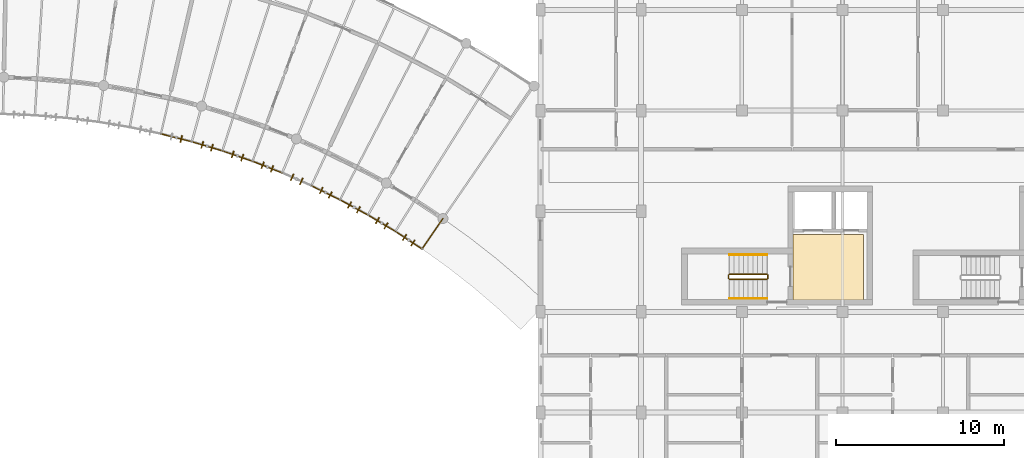
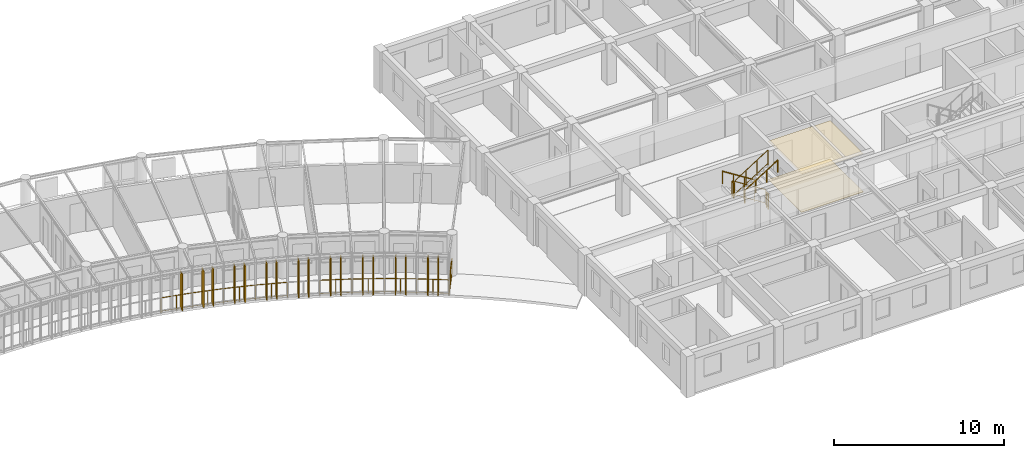
# One storey, part 98 of 100: 17 shading devices, 15 railings, 2 coverings.
"""IFC4 building model written with IfcOpenShell, lengths in metres."""

from ifc_helpers import new_model, si_unit, direction, frame, origin, origin_2d, place, context, subcontext, project, spatial, polyline, rectangle, circle, outline, extrude, material, layer, layer_set, type_object, element, save


model = new_model("IFC4")

# Units and contexts
model_context = context("Model", 3, precision=1e-05, world=origin(), true_north=direction((0.0, 1.0)))
body_context = subcontext(model_context, "Body", "Model", "MODEL_VIEW")
ifc_project = project(units=[si_unit("LENGTHUNIT", "METRE"), si_unit("AREAUNIT", "SQUARE_METRE"), si_unit("VOLUMEUNIT", "CUBIC_METRE"), si_unit("PLANEANGLEUNIT", "RADIAN"), si_unit("MASSUNIT", "GRAM", prefix="KILO"), si_unit("POWERUNIT", "WATT"), si_unit("THERMODYNAMICTEMPERATUREUNIT", "KELVIN")], contexts=[model_context])

# Site, building, storey
site_placement = place(None, origin())
site = spatial("IfcSite", under=ifc_project, at=site_placement, CompositionType="ELEMENT")
building_placement = place(site_placement, origin())
building = spatial("IfcBuilding", under=site, at=building_placement, Name="Ruvembo Vaulted Housing Court", CompositionType="ELEMENT")
storey_placement = place(building_placement, frame((0.0, 0.0, 14.10009765625)))
storey = spatial("IfcBuildingStorey", under=building, at=storey_placement, Name="L04", CompositionType="ELEMENT", Elevation=14.10009765625)

# Coverings
ifc_material_1 = material(Name="Perforated Mineral-Fibre Acoustic Tile", Category="gypsum")
ifc_layer_1 = layer(ifc_material_1, 0.02001953125, Name="Perforated Mineral-Fibre Acoustic Tile")
ifc_layer_set_1 = layer_set([ifc_layer_1], Name="Perforated Mineral-Fibre Acoustic Tile")
covering_type_1 = type_object("IfcCoveringType", Name="COV-CEIL-ACOUST", PredefinedType="CEILING", material=ifc_layer_set_1)
covering_1_placement = place(storey_placement, frame((0.0, 0.0, 2.75)))
element("IfcCovering", 1, at=covering_1_placement, inside=storey, type_object=covering_type_1, Name="Protected Core Lobby D1 Ceiling", PredefinedType="CEILING", context=body_context, shape_type="SweptSolid", body=[
    extrude(outline(polyline([(169.25, 88.60009765625), (165.050048828125, 88.60009765625), (165.050048828125, 84.699951171875), (169.25, 84.699951171875), (169.25, 88.60009765625)])), origin(), (0.0, 0.0, 1.0), 0.02001953125),
])
ifc_material_2 = material(Name="Polished Cement-Aggregate Terrazzo", Category="stone")
ifc_layer_2 = layer(ifc_material_2, 0.02197265625, Name="Polished Cement-Aggregate Terrazzo")
ifc_layer_set_2 = layer_set([ifc_layer_2], Name="Polished Cement-Aggregate Terrazzo")
covering_type_2 = type_object("IfcCoveringType", Name="COV-FLR-CERAMIC", PredefinedType="FLOORING", material=ifc_layer_set_2)
covering_2_placement = place(storey_placement, origin())
element("IfcCovering", 2, at=covering_2_placement, inside=storey, type_object=covering_type_2, Name="Protected Core Lobby D1 Flooring", PredefinedType="FLOORING", context=body_context, shape_type="SweptSolid", body=[
    extrude(outline(polyline([(169.25, 88.60009765625), (165.050048828125, 88.60009765625), (165.050048828125, 84.699951171875), (169.25, 84.699951171875), (169.25, 88.60009765625)])), origin(), (0.0, 0.0, 1.0), 0.02197265625),
])

# Railings
ifc_material_3 = material(Name="Galvanised Painted Steel S275", Category="steel")
ifc_layer_3 = layer(ifc_material_3, 0.06005859375, Name="Galvanised Painted Steel S275")
ifc_layer_set_3 = layer_set([ifc_layer_3], Name="Galvanised Painted Steel S275")
railing_type_1 = type_object("IfcRailingType", Name="RL-GUARD-1100", PredefinedType="GUARDRAIL", material=ifc_layer_set_3)
railing_1_placement = place(storey_placement, frame((127.365966796875, 94.611572265625, 0.0)))
element("IfcRailing", 3, at=railing_1_placement, inside=storey, type_object=railing_type_1, Name="L04 Perimeter Guard RL-EXT-L04-0737", PredefinedType="GUARDRAIL", context=body_context, shape_type="SweptSolid", body=[
    extrude(circle(Radius=0.02392578125, at=origin_2d()), frame((0.0, 0.0, 1.076171875), z_axis=(0.969121730429, -0.246582788553, 0.0), x_axis=(0.246582788553, 0.969121730429, 0.0)), (0.0, 0.0, 1.0), 1.90087890625),
    extrude(circle(Radius=0.01806640625, at=origin_2d()), frame((0.0, 0.0, 0.1201171875), z_axis=(0.969121730429, -0.246582788553, 0.0), x_axis=(0.246582788553, 0.969121730429, 0.0)), (0.0, 0.0, 1.0), 1.90087890625),
    extrude(circle(Radius=0.02099609375, at=origin_2d()), origin(), (0.0, 0.0, 1.0), 1.052001953125),
    extrude(circle(Radius=0.02099609375, at=origin_2d()), frame((0.921142578125, -0.234375, 0.0)), (0.0, 0.0, 1.0), 1.052001953125),
    extrude(circle(Radius=0.02099609375, at=origin_2d()), frame((1.84228515625, -0.46875, 0.0)), (0.0, 0.0, 1.0), 1.052001953125),
])
railing_2_placement = place(storey_placement, frame((129.208251953125, 94.142822265625, 0.0)))
element("IfcRailing", 4, at=railing_2_placement, inside=storey, type_object=railing_type_1, Name="L04 Perimeter Guard RL-EXT-L04-0738", PredefinedType="GUARDRAIL", context=body_context, shape_type="SweptSolid", body=[
    extrude(circle(Radius=0.02392578125, at=origin_2d()), frame((0.0, 0.0, 1.076171875), z_axis=(0.958108609181, -0.286405120439, 0.0), x_axis=(0.286405120439, 0.958108609181, 0.0)), (0.0, 0.0, 1.0), 1.90087890625),
    extrude(circle(Radius=0.01806640625, at=origin_2d()), frame((0.0, 0.0, 0.1201171875), z_axis=(0.958108609181, -0.286405120439, 0.0), x_axis=(0.286405120439, 0.958108609181, 0.0)), (0.0, 0.0, 1.0), 1.90087890625),
    extrude(circle(Radius=0.02099609375, at=origin_2d()), origin(), (0.0, 0.0, 1.0), 1.052001953125),
    extrude(circle(Radius=0.02099609375, at=origin_2d()), frame((0.91064453125, -0.272216796875, 0.0)), (0.0, 0.0, 1.0), 1.052001953125),
    extrude(circle(Radius=0.02099609375, at=origin_2d()), frame((1.8212890625, -0.54443359375, 0.0)), (0.0, 0.0, 1.0), 1.052001953125),
])
railing_3_placement = place(storey_placement, frame((131.029541015625, 93.598388671875, 0.0)))
element("IfcRailing", 5, at=railing_3_placement, inside=storey, type_object=railing_type_1, Name="L04 Perimeter Guard RL-EXT-L04-0739", PredefinedType="GUARDRAIL", context=body_context, shape_type="SweptSolid", body=[
    extrude(circle(Radius=0.02392578125, at=origin_2d()), frame((0.0, 0.0, 1.076171875), z_axis=(0.945357969834, -0.326034214264, 0.0), x_axis=(0.326034214264, 0.945357969834, 0.0)), (0.0, 0.0, 1.0), 1.9013671875),
    extrude(circle(Radius=0.01806640625, at=origin_2d()), frame((0.0, 0.0, 0.1201171875), z_axis=(0.945357969834, -0.326034214264, 0.0), x_axis=(0.326034214264, 0.945357969834, 0.0)), (0.0, 0.0, 1.0), 1.9013671875),
    extrude(circle(Radius=0.02099609375, at=origin_2d()), origin(), (0.0, 0.0, 1.0), 1.052001953125),
    extrude(circle(Radius=0.02099609375, at=origin_2d()), frame((0.898681640625, -0.31005859375, 0.0)), (0.0, 0.0, 1.0), 1.052001953125),
    extrude(circle(Radius=0.02099609375, at=origin_2d()), frame((1.79736328125, -0.619873046875, 0.0)), (0.0, 0.0, 1.0), 1.052001953125),
])
railing_4_placement = place(storey_placement, frame((132.826904296875, 92.978515625, 0.0)))
element("IfcRailing", 6, at=railing_4_placement, inside=storey, type_object=railing_type_1, Name="L04 Perimeter Guard RL-EXT-L04-0740", PredefinedType="GUARDRAIL", context=body_context, shape_type="SweptSolid", body=[
    extrude(circle(Radius=0.02392578125, at=origin_2d()), frame((0.0, 0.0, 1.076171875), z_axis=(0.931005720133, -0.365004587752, 0.0), x_axis=(0.365004587752, 0.931005720133, 0.0)), (0.0, 0.0, 1.0), 1.90087890625),
    extrude(circle(Radius=0.01806640625, at=origin_2d()), frame((0.0, 0.0, 0.1201171875), z_axis=(0.931005720133, -0.365004587752, 0.0), x_axis=(0.365004587752, 0.931005720133, 0.0)), (0.0, 0.0, 1.0), 1.90087890625),
    extrude(circle(Radius=0.02099609375, at=origin_2d()), origin(), (0.0, 0.0, 1.0), 1.052001953125),
    extrude(circle(Radius=0.02099609375, at=origin_2d()), frame((0.884765625, -0.346923828125, 0.0)), (0.0, 0.0, 1.0), 1.052001953125),
    extrude(circle(Radius=0.02099609375, at=origin_2d()), frame((1.769775390625, -0.69384765625, 0.0)), (0.0, 0.0, 1.0), 1.052001953125),
])
railing_5_placement = place(storey_placement, frame((136.336181640625, 91.51806640625, 0.0)))
element("IfcRailing", 7, at=railing_5_placement, inside=storey, type_object=railing_type_1, Name="L04 Perimeter Guard RL-EXT-L04-0742", PredefinedType="GUARDRAIL", context=body_context, shape_type="SweptSolid", body=[
    extrude(circle(Radius=0.02392578125, at=origin_2d()), frame((0.0, 0.0, 1.076171875), z_axis=(0.897513310314, -0.44098736695, 0.0), x_axis=(0.44098736695, 0.897513310314, 0.0)), (0.0, 0.0, 1.0), 1.901123046875),
    extrude(circle(Radius=0.01806640625, at=origin_2d()), frame((0.0, 0.0, 0.1201171875), z_axis=(0.897513310314, -0.44098736695, 0.0), x_axis=(0.44098736695, 0.897513310314, 0.0)), (0.0, 0.0, 1.0), 1.901123046875),
    extrude(circle(Radius=0.02099609375, at=origin_2d()), origin(), (0.0, 0.0, 1.0), 1.052001953125),
    extrude(circle(Radius=0.02099609375, at=origin_2d()), frame((0.85302734375, -0.419189453125, 0.0)), (0.0, 0.0, 1.0), 1.052001953125),
    extrude(circle(Radius=0.02099609375, at=origin_2d()), frame((1.706298828125, -0.83837890625, 0.0)), (0.0, 0.0, 1.0), 1.052001953125),
])
railing_6_placement = place(storey_placement, frame((138.04248046875, 90.6796875, 0.0)))
element("IfcRailing", 8, at=railing_6_placement, inside=storey, type_object=railing_type_1, Name="L04 Perimeter Guard RL-EXT-L04-0743", PredefinedType="GUARDRAIL", context=body_context, shape_type="SweptSolid", body=[
    extrude(circle(Radius=0.02392578125, at=origin_2d()), frame((0.0, 0.0, 1.076171875), z_axis=(0.878513214386, -0.477718046706, 0.0), x_axis=(0.477718046706, 0.878513214386, 0.0)), (0.0, 0.0, 1.0), 1.901123046875),
    extrude(circle(Radius=0.01806640625, at=origin_2d()), frame((0.0, 0.0, 0.1201171875), z_axis=(0.878513214386, -0.477718046706, 0.0), x_axis=(0.477718046706, 0.878513214386, 0.0)), (0.0, 0.0, 1.0), 1.901123046875),
    extrude(circle(Radius=0.02099609375, at=origin_2d()), origin(), (0.0, 0.0, 1.0), 1.052001953125),
    extrude(circle(Radius=0.02099609375, at=origin_2d()), frame((0.8349609375, -0.4541015625, 0.0)), (0.0, 0.0, 1.0), 1.052001953125),
    extrude(circle(Radius=0.02099609375, at=origin_2d()), frame((1.670166015625, -0.908203125, 0.0)), (0.0, 0.0, 1.0), 1.052001953125),
])
railing_7_placement = place(storey_placement, frame((139.712646484375, 89.771484375, 0.0)))
element("IfcRailing", 9, at=railing_7_placement, inside=storey, type_object=railing_type_1, Name="L04 Perimeter Guard RL-EXT-L04-0744", PredefinedType="GUARDRAIL", context=body_context, shape_type="SweptSolid", body=[
    extrude(circle(Radius=0.02392578125, at=origin_2d()), frame((0.0, 0.0, 1.076171875), z_axis=(0.857889282303, -0.513834583607, 0.0), x_axis=(0.513834583607, 0.857889282303, 0.0)), (0.0, 0.0, 1.0), 1.901123046875),
    extrude(circle(Radius=0.01806640625, at=origin_2d()), frame((0.0, 0.0, 0.1201171875), z_axis=(0.857889282303, -0.513834583607, 0.0), x_axis=(0.513834583607, 0.857889282303, 0.0)), (0.0, 0.0, 1.0), 1.901123046875),
    extrude(circle(Radius=0.02099609375, at=origin_2d()), origin(), (0.0, 0.0, 1.0), 1.052001953125),
    extrude(circle(Radius=0.02099609375, at=origin_2d()), frame((0.8154296875, -0.48828125, 0.0)), (0.0, 0.0, 1.0), 1.052001953125),
    extrude(circle(Radius=0.02099609375, at=origin_2d()), frame((1.630859375, -0.976806640625, 0.0)), (0.0, 0.0, 1.0), 1.052001953125),
])
railing_8_placement = place(storey_placement, frame((141.343505859375, 88.794677734375, 0.0)))
element("IfcRailing", 10, at=railing_8_placement, inside=storey, type_object=railing_type_1, Name="L04 Perimeter Guard RL-EXT-L04-0745", PredefinedType="GUARDRAIL", context=body_context, shape_type="SweptSolid", body=[
    extrude(circle(Radius=0.02392578125, at=origin_2d()), frame((0.0, 0.0, 1.076171875), z_axis=(0.835902452778, -0.548878027834, 0.0), x_axis=(0.548878027834, 0.835902452778, 0.0)), (0.0, 0.0, 1.0), 1.901123046875),
    extrude(circle(Radius=0.01806640625, at=origin_2d()), frame((0.0, 0.0, 0.1201171875), z_axis=(0.835902452778, -0.548878027834, 0.0), x_axis=(0.548878027834, 0.835902452778, 0.0)), (0.0, 0.0, 1.0), 1.901123046875),
    extrude(circle(Radius=0.02099609375, at=origin_2d()), origin(), (0.0, 0.0, 1.0), 1.052001953125),
    extrude(circle(Radius=0.02099609375, at=origin_2d()), frame((0.79443359375, -0.521728515625, 0.0)), (0.0, 0.0, 1.0), 1.052001953125),
    extrude(circle(Radius=0.02099609375, at=origin_2d()), frame((1.589111328125, -1.04345703125, 0.0)), (0.0, 0.0, 1.0), 1.052001953125),
])
railing_9_placement = place(storey_placement, frame((142.9326171875, 87.751220703125, 0.0)))
element("IfcRailing", 11, at=railing_9_placement, inside=storey, type_object=railing_type_1, Name="L04 Perimeter Guard RL-EXT-L04-0746", PredefinedType="GUARDRAIL", context=body_context, shape_type="SweptSolid", body=[
    extrude(circle(Radius=0.02392578125, at=origin_2d()), frame((0.0, 0.0, 1.076171875), z_axis=(0.566222630619, 0.82425234763, 0.0), x_axis=(-0.82425234763, 0.566222630619, 0.0)), (0.0, 0.0, 1.0), 2.199951171875),
    extrude(circle(Radius=0.01806640625, at=origin_2d()), frame((0.0, 0.0, 0.1201171875), z_axis=(0.566222630619, 0.82425234763, 0.0), x_axis=(-0.82425234763, 0.566222630619, 0.0)), (0.0, 0.0, 1.0), 2.199951171875),
    extrude(circle(Radius=0.02099609375, at=origin_2d()), origin(), (0.0, 0.0, 1.0), 1.052001953125),
    extrude(circle(Radius=0.02099609375, at=origin_2d()), frame((0.622802734375, 0.90673828125, 0.0)), (0.0, 0.0, 1.0), 1.052001953125),
    extrude(circle(Radius=0.02099609375, at=origin_2d()), frame((1.24560546875, 1.813232421875, 0.0)), (0.0, 0.0, 1.0), 1.052001953125),
])
ifc_material_4 = material(Name="Painted Galvanised Steel S275", Category="steel")
ifc_layer_4 = layer(ifc_material_4, 0.06005859375, Name="Painted Galvanised Steel S275")
ifc_layer_set_4 = layer_set([ifc_layer_4], Name="Painted Galvanised Steel S275")
railing_type_2 = type_object("IfcRailingType", Name="RL-STAIR-GR1100", PredefinedType="GUARDRAIL", material=ifc_layer_set_4)
railing_10_placement = place(storey_placement, frame((163.5, 86.25, 0.177734375)))
element("IfcRailing", 12, at=railing_10_placement, inside=storey, type_object=railing_type_2, Name="L04 ST-D1 stair guard 1", PredefinedType="GUARDRAIL", context=body_context, shape_type="SweptSolid", body=[
    extrude(circle(Radius=0.02392578125, at=origin_2d()), frame((0.0, 0.0, 1.076171875), z_axis=(-0.8442293374, 0.0, 0.53598211339), x_axis=(0.0, -1.0, 0.0)), (0.0, 0.0, 1.0), 2.6533203125),
    extrude(circle(Radius=0.01806640625, at=origin_2d()), frame((0.0, 0.0, 0.1201171875), z_axis=(-0.8442293374, 0.0, 0.53598211339), x_axis=(0.0, -1.0, 0.0)), (0.0, 0.0, 1.0), 2.6533203125),
    extrude(circle(Radius=0.02099609375, at=origin_2d()), origin(), (0.0, 0.0, 1.0), 1.052001953125),
    extrude(circle(Radius=0.02099609375, at=origin_2d()), frame((-0.74658203125, 0.0, 0.47412109375)), (0.0, 0.0, 1.0), 1.052001953125),
    extrude(circle(Radius=0.02099609375, at=origin_2d()), frame((-1.493408203125, 0.0, 0.947998046875)), (0.0, 0.0, 1.0), 1.052001953125),
    extrude(circle(Radius=0.02099609375, at=origin_2d()), frame((-2.239990234375, 0.0, 1.422119140625)), (0.0, 0.0, 1.0), 1.052001953125),
])
railing_11_placement = place(storey_placement, frame((161.2099609375, 86.199951171875, 1.599853515625)))
element("IfcRailing", 13, at=railing_11_placement, inside=storey, type_object=railing_type_2, Name="L04 ST-D1 stair guard 2", PredefinedType="GUARDRAIL", context=body_context, shape_type="SweptSolid", body=[
    extrude(circle(Radius=0.02392578125, at=origin_2d()), frame((0.0, 0.0, 1.076171875), z_axis=(0.0, -1.0, 0.0), x_axis=(1.0, 0.0, 0.0)), (0.0, 0.0, 1.0), 0.199951171875),
    extrude(circle(Radius=0.01806640625, at=origin_2d()), frame((0.0, 0.0, 0.1201171875), z_axis=(0.0, -1.0, 0.0), x_axis=(1.0, 0.0, 0.0)), (0.0, 0.0, 1.0), 0.199951171875),
    extrude(circle(Radius=0.02099609375, at=origin_2d()), origin(), (0.0, 0.0, 1.0), 1.052001953125),
    extrude(circle(Radius=0.02099609375, at=origin_2d()), frame((0.0, -0.199951171875, 0.0)), (0.0, 0.0, 1.0), 1.052001953125),
])
railing_12_placement = place(storey_placement, frame((161.260009765625, 85.949951171875, 1.777587890625)))
element("IfcRailing", 14, at=railing_12_placement, inside=storey, type_object=railing_type_2, Name="L04 ST-D1 stair guard 3", PredefinedType="GUARDRAIL", context=body_context, shape_type="SweptSolid", body=[
    extrude(circle(Radius=0.02392578125, at=origin_2d()), frame((0.0, 0.0, 1.076171875), z_axis=(0.84418770128, 0.0, 0.536047689118), x_axis=(0.0, 1.0, 0.0)), (0.0, 0.0, 1.0), 2.6533203125),
    extrude(circle(Radius=0.01806640625, at=origin_2d()), frame((0.0, 0.0, 0.1201171875), z_axis=(0.84418770128, 0.0, 0.536047689118), x_axis=(0.0, 1.0, 0.0)), (0.0, 0.0, 1.0), 2.6533203125),
    extrude(circle(Radius=0.02099609375, at=origin_2d()), origin(), (0.0, 0.0, 1.0), 1.052001953125),
    extrude(circle(Radius=0.02099609375, at=origin_2d()), frame((0.74658203125, 0.0, 0.47412109375)), (0.0, 0.0, 1.0), 1.052001953125),
    extrude(circle(Radius=0.02099609375, at=origin_2d()), frame((1.493408203125, 0.0, 0.9482421875)), (0.0, 0.0, 1.0), 1.052001953125),
    extrude(circle(Radius=0.02099609375, at=origin_2d()), frame((2.239990234375, 0.0, 1.42236328125)), (0.0, 0.0, 1.0), 1.052001953125),
])
railing_13_placement = place(storey_placement, frame((163.550048828125, 86.199951171875, 0.0)))
element("IfcRailing", 15, at=railing_13_placement, inside=storey, type_object=railing_type_2, Name="L04 ST-D1 stair guard 4", PredefinedType="GUARDRAIL", context=body_context, shape_type="SweptSolid", body=[
    extrude(circle(Radius=0.02392578125, at=origin_2d()), frame((0.0, 0.0, 1.076171875), z_axis=(0.0, -1.0, 0.0), x_axis=(1.0, 0.0, 0.0)), (0.0, 0.0, 1.0), 0.199951171875),
    extrude(circle(Radius=0.01806640625, at=origin_2d()), frame((0.0, 0.0, 0.1201171875), z_axis=(0.0, -1.0, 0.0), x_axis=(1.0, 0.0, 0.0)), (0.0, 0.0, 1.0), 0.199951171875),
    extrude(circle(Radius=0.02099609375, at=origin_2d()), origin(), (0.0, 0.0, 1.0), 1.052001953125),
    extrude(circle(Radius=0.02099609375, at=origin_2d()), frame((0.0, -0.199951171875, 0.0)), (0.0, 0.0, 1.0), 1.052001953125),
])
ifc_material_5 = material(Name="Brushed Stainless Steel 304", Category="steel")
ifc_layer_5 = layer(ifc_material_5, 0.050048828125, Name="Brushed Stainless Steel 304")
ifc_layer_set_5 = layer_set([ifc_layer_5], Name="Brushed Stainless Steel 304")
railing_type_3 = type_object("IfcRailingType", Name="RL-STAIR-HR920", PredefinedType="HANDRAIL", material=ifc_layer_set_5)
railing_14_placement = place(storey_placement, frame((163.5, 87.39990234375, 0.359130859375)))
element("IfcRailing", 16, at=railing_14_placement, inside=storey, type_object=railing_type_3, Name="L04 ST-D1 stair handrail 1", PredefinedType="HANDRAIL", context=body_context, shape_type="SweptSolid", body=[
    extrude(circle(Radius=0.02392578125, at=origin_2d()), frame((0.0, 0.0, 0.8759765625), z_axis=(-0.84418770128, 0.0, 0.536047689118), x_axis=(0.0, -1.0, 0.0)), (0.0, 0.0, 1.0), 2.6533203125),
    extrude(circle(Radius=0.02099609375, at=origin_2d()), origin(), (0.0, 0.0, 1.0), 0.851806640625),
    extrude(circle(Radius=0.02099609375, at=origin_2d()), frame((-0.74658203125, 0.0, 0.47412109375)), (0.0, 0.0, 1.0), 0.851806640625),
    extrude(circle(Radius=0.02099609375, at=origin_2d()), frame((-1.493408203125, 0.0, 0.9482421875)), (0.0, 0.0, 1.0), 0.851806640625),
    extrude(circle(Radius=0.02099609375, at=origin_2d()), frame((-2.239990234375, 0.0, 1.42236328125)), (0.0, 0.0, 1.0), 0.851806640625),
])
railing_15_placement = place(storey_placement, frame((161.260009765625, 84.800048828125, 1.959228515625)))
element("IfcRailing", 17, at=railing_15_placement, inside=storey, type_object=railing_type_3, Name="L04 ST-D1 stair handrail 2", PredefinedType="HANDRAIL", context=body_context, shape_type="SweptSolid", body=[
    extrude(circle(Radius=0.02392578125, at=origin_2d()), frame((0.0, 0.0, 0.8759765625), z_axis=(0.8442293374, 0.0, 0.53598211339), x_axis=(0.0, 1.0, 0.0)), (0.0, 0.0, 1.0), 2.6533203125),
    extrude(circle(Radius=0.02099609375, at=origin_2d()), origin(), (0.0, 0.0, 1.0), 0.851806640625),
    extrude(circle(Radius=0.02099609375, at=origin_2d()), frame((0.74658203125, 0.0, 0.47412109375)), (0.0, 0.0, 1.0), 0.851806640625),
    extrude(circle(Radius=0.02099609375, at=origin_2d()), frame((1.493408203125, 0.0, 0.947998046875)), (0.0, 0.0, 1.0), 0.851806640625),
    extrude(circle(Radius=0.02099609375, at=origin_2d()), frame((2.239990234375, 0.0, 1.422119140625)), (0.0, 0.0, 1.0), 0.851806640625),
])

# Shading devices
ifc_material_6 = material(Name="Kiln-Fired Terracotta Extrusion", Category="masonry")
shading_device_type = type_object("IfcShadingDeviceType", Name="SHD-FIN-420", PredefinedType="USERDEFINED", material=ifc_material_6)
for number, where, z_axis, x_axis, name in (
    (18, (128.577880859375, 94.30322265625, 0.0498046875), (0.0, 0.0, 1.0), (-0.246491603437, -0.969144926951, 0.0), "Terracotta Brise-Soleil Fin #686"),
    (19, (129.83154296875, 93.95654296875, 0.0498046875), (0.0, 0.0, 1.0), (-0.2864911095, -0.958082900472, 0.0), "Terracotta Brise-Soleil Fin #687"),
    (20, (130.406494140625, 93.78466796875, 0.0498046875), (0.0, 0.0, 1.0), (-0.2864911095, -0.958082900472, 0.0), "Terracotta Brise-Soleil Fin #688"),
    (21, (131.64453125, 93.38623046875, 0.0498046875), (0.0, 0.0, 1.0), (-0.326030183107, -0.945359360087, 0.0), "Terracotta Brise-Soleil Fin #689"),
    (22, (132.2119140625, 93.190673828125, 0.0498046875), (0.0, 0.0, 1.0), (-0.326030183107, -0.945359360087, 0.0), "Terracotta Brise-Soleil Fin #690"),
    (23, (133.432373046875, 92.7412109375, 0.0498046875), (0.0, 0.0, 1.0), (-0.364958032896, -0.931023970811, 0.0), "Terracotta Brise-Soleil Fin #691"),
    (24, (133.9912109375, 92.522216796875, 0.0498046875), (0.0, 0.0, 1.0), (-0.364958032896, -0.931023970811, 0.0), "Terracotta Brise-Soleil Fin #692"),
    (25, (135.19189453125, 92.022216796875, 0.0498046875), (0.0, 0.0, 1.0), (-0.403305746645, -0.915065284405, 0.0), "Terracotta Brise-Soleil Fin #693"),
    (26, (135.740966796875, 91.780517578125, 0.0498046875), (0.0, 0.0, 1.0), (-0.403305746645, -0.915065284405, 0.0), "Terracotta Brise-Soleil Fin #694"),
    (27, (136.920166015625, 91.231201171875, 0.0498046875), (0.0, 0.0, 1.0), (-0.440910671447, -0.897550990086, 0.0), "Terracotta Brise-Soleil Fin #695"),
    (28, (137.458740234375, 90.966552734375, 0.0498046875), (0.0, 0.0, 1.0), (-0.440910671447, -0.897550990086, 0.0), "Terracotta Brise-Soleil Fin #696"),
    (29, (138.614013671875, 90.368896484375, 0.0498046875), (0.0, 0.0, 1.0), (-0.477787506376, -0.878475440038, 0.0), "Terracotta Brise-Soleil Fin #697"),
    (30, (139.14111328125, 90.082275390625, 0.0498046875), (0.0, 0.0, 1.0), (-0.477787506376, -0.878475440038, 0.0), "Terracotta Brise-Soleil Fin #698"),
    (31, (140.270751953125, 89.437255859375, 0.0498046875), (0.0, 0.0, 1.0), (-0.513825768915, -0.857894561819, 0.0), "Terracotta Brise-Soleil Fin #699"),
    (32, (140.785400390625, 89.12890625, 0.0498046875), (0.0, 0.0, 1.0), (-0.513825768915, -0.857894561819, 0.0), "Terracotta Brise-Soleil Fin #700"),
    (33, (141.88720703125, 88.4375, 0.0498046875), (0.0, 0.0, 1.0), (-0.548964466299, -0.835845688355, 0.0), "Terracotta Brise-Soleil Fin #701"),
    (34, (142.388916015625, 88.108154296875, 0.0498046875), (0.0, 0.0, 1.0), (-0.548964466299, -0.835845688355, 0.0), "Terracotta Brise-Soleil Fin #702"),
):
    element("IfcShadingDevice", number, at=place(storey_placement, frame(where, z_axis=z_axis, x_axis=x_axis)), inside=storey, type_object=shading_device_type, Name=name, ObjectType="FIN", PredefinedType="USERDEFINED", context=body_context, shape_type="SweptSolid", body=[
        extrude(rectangle(XDim=0.419921875, YDim=0.06494140625, at=origin_2d()), origin(), (0.0, 0.0, 1.0), 2.613037109375),
    ])

save(model, "model.ifc")
